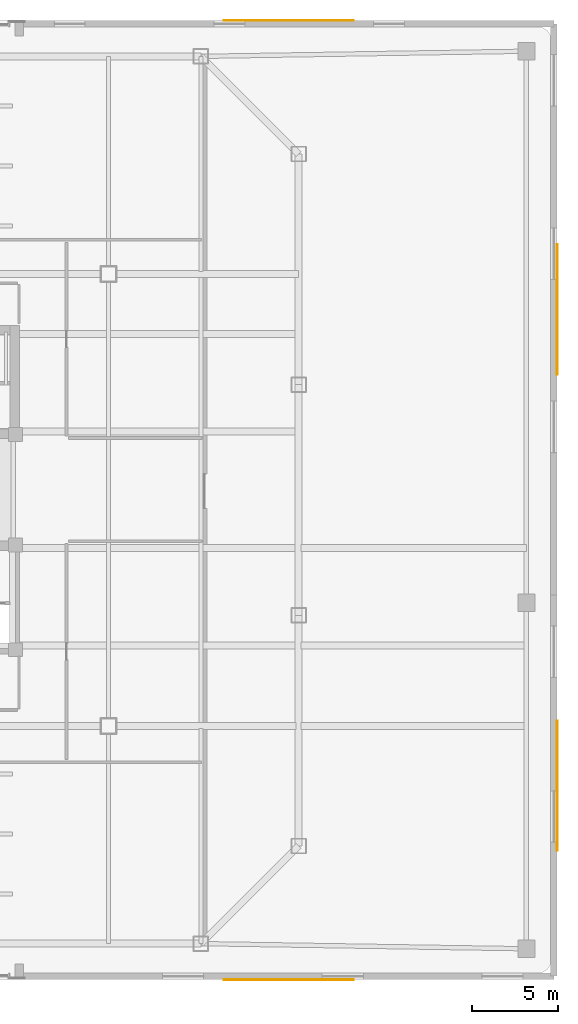
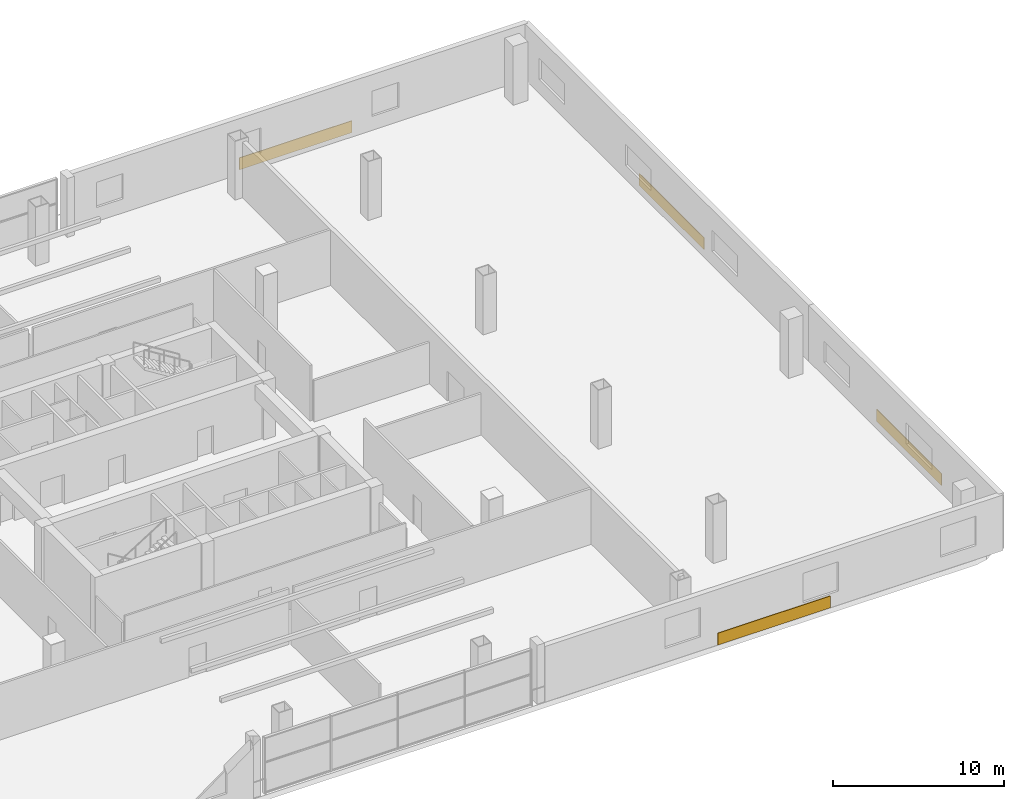
# One storey, part 21 of 21: 4 coverings.
"""IFC4 building model written with IfcOpenShell, lengths in metres."""

from ifc_helpers import new_model, si_unit, direction, frame, origin, origin_2d, place, context, subcontext, project, spatial, rectangle, extrude, material, layer, layer_set, type_object, element, save


model = new_model("IFC4")

# Units and contexts
model_context = context("Model", 3, precision=1e-05, world=origin(), true_north=direction((0.0, 1.0)))
body_context = subcontext(model_context, "Body", "Model", "MODEL_VIEW")
ifc_project = project(units=[si_unit("LENGTHUNIT", "METRE"), si_unit("AREAUNIT", "SQUARE_METRE"), si_unit("VOLUMEUNIT", "CUBIC_METRE"), si_unit("PLANEANGLEUNIT", "RADIAN"), si_unit("MASSUNIT", "GRAM", prefix="KILO")], contexts=[model_context])

# Site, building, storey
site_placement = place(None, origin())
site = spatial("IfcSite", under=ifc_project, at=site_placement, CompositionType="ELEMENT")
building_placement = place(site_placement, origin())
building = spatial("IfcBuilding", under=site, at=building_placement, Name="Qhalaya Broadcast Tower", CompositionType="ELEMENT")
storey_placement = place(building_placement, frame((0.0, 0.0, 21.89990234375)))
storey = spatial("IfcBuildingStorey", under=building, at=storey_placement, Name="L05", CompositionType="ELEMENT", Elevation=21.89990234375)

# Coverings
ifc_material = material(Name="Fired Architectural Terracotta", Category="masonry")
ifc_layer = layer(ifc_material, 0.044921875, Name="Fired Architectural Terracotta")
ifc_layer_set = layer_set([ifc_layer], Name="Fired Architectural Terracotta")
covering_type = type_object("IfcCoveringType", Name="Polychrome Terracotta Rainscreen Cladding CLD-01", PredefinedType="CLADDING", material=ifc_layer_set)
for number, where, z_axis, x_axis, name in (
    (1, (25.320068359375, -28.0, 0.025146484375), (0.0, 0.0, 1.0), (-1.0, 0.0, 0.0), "L05 Terracotta Spandrel Cladding EW-SE"),
    (2, (25.320068359375, 28.0, 0.025146484375), (0.0, 0.0, 1.0), (1.0, 0.0, 0.0), "L05 Terracotta Spandrel Cladding EW-NE"),
    (3, (41.0, -16.675048828125, 0.025146484375), (0.0, 0.0, 1.0), (0.0, -1.0, 0.0), "L05 Terracotta Spandrel Cladding EW-ES"),
    (4, (41.0, 11.125, 0.025146484375), (0.0, 0.0, 1.0), (0.0, -1.0, 0.0), "L05 Terracotta Spandrel Cladding EW-EN"),
):
    element("IfcCovering", number, at=place(storey_placement, frame(where, z_axis=z_axis, x_axis=x_axis)), inside=storey, type_object=covering_type, Name=name, PredefinedType="CLADDING", context=body_context, shape_type="SweptSolid", body=[
        extrude(rectangle(XDim=7.60009765625, YDim=0.044921875, at=origin_2d()), origin(), (0.0, 0.0, 1.0), 0.85009765625),
    ])

save(model, "model.ifc")
